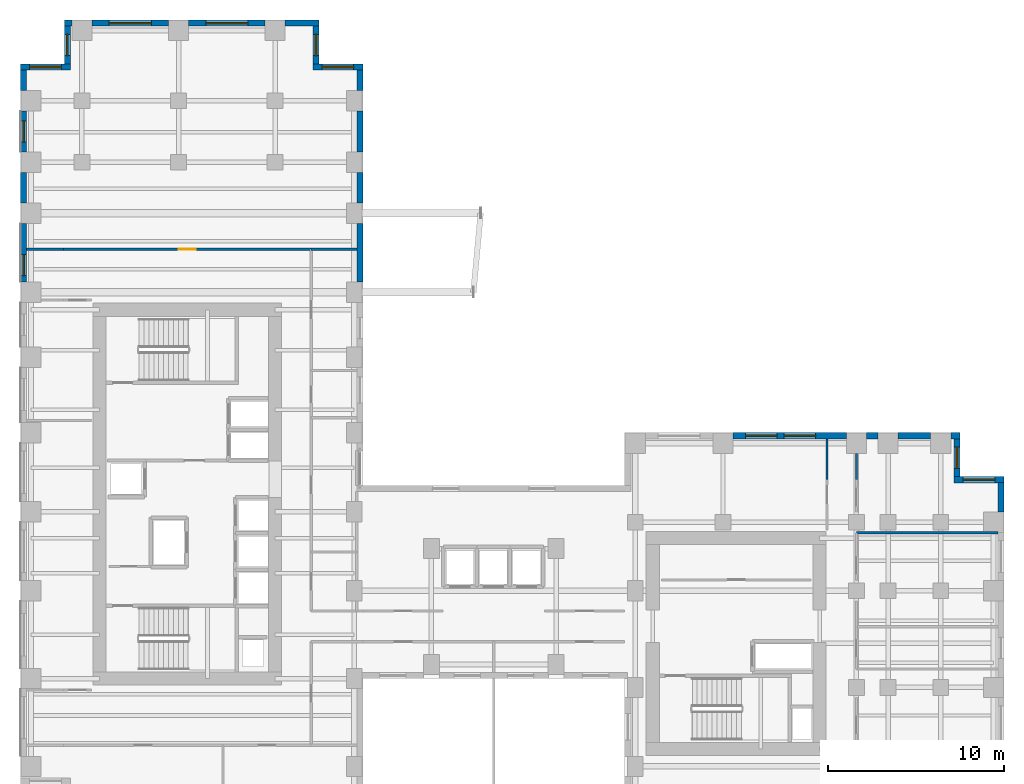
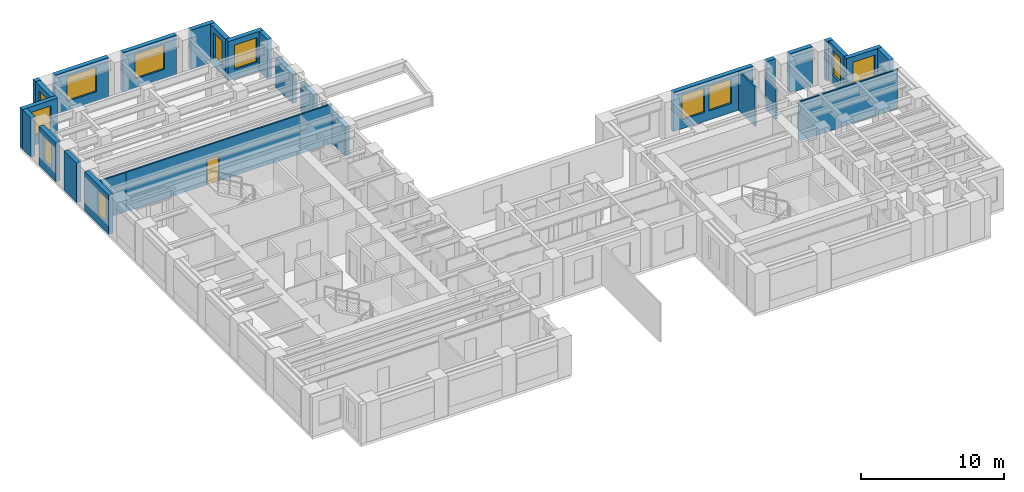
# One storey, part 11 of 14: 29 walls, 12 windows, 1 door, 13 openings.
"""IFC4 building model written with IfcOpenShell, lengths in metres."""

from ifc_helpers import new_model, si_unit, direction, frame, frame_2d, origin, place, context, subcontext, project, spatial, rectangle, extrude, source, transform, mapped, material, layer, layer_set, type_object, element, fill, save


model = new_model("IFC4")

# Units and contexts
model_context = context("Model", 3, precision=1e-05, world=origin(), true_north=direction((0.0, 1.0)))
body_context = subcontext(model_context, "Body", "Model", "MODEL_VIEW")
ifc_project = project(units=[si_unit("LENGTHUNIT", "METRE"), si_unit("AREAUNIT", "SQUARE_METRE"), si_unit("VOLUMEUNIT", "CUBIC_METRE"), si_unit("PLANEANGLEUNIT", "RADIAN"), si_unit("MASSUNIT", "GRAM", prefix="KILO")], contexts=[model_context])

# Site, building, storey
site_placement = place(None, origin())
site = spatial("IfcSite", under=ifc_project, at=site_placement, CompositionType="ELEMENT")
building_placement = place(site_placement, origin())
building = spatial("IfcBuilding", under=site, at=building_placement, Name="Kharzan Plaza Tower", CompositionType="ELEMENT")
storey_placement = place(building_placement, frame((0.0, 0.0, 124.199951171875)))
storey = spatial("IfcBuildingStorey", under=building, at=storey_placement, Name="L33", CompositionType="ELEMENT", Elevation=124.199951171875)

# Wall, opening, window
ifc_material_1 = material(Name="Concrete C40/50", Category="concrete")
ifc_layer_1 = layer(ifc_material_1, 0.35009765625)
ifc_layer_set_1 = layer_set([ifc_layer_1], Name="Concrete C40/50")
wall_type_1 = type_object("IfcWallType", Name="WL-EXT-MAS-Z2", PredefinedType="SOLIDWALL", material=ifc_layer_set_1)
wall_1_placement = place(storey_placement, frame((19.5, 43.324951171875, 0.0), z_axis=(0.0, 0.0, 1.0), x_axis=(-1.0, 0.0, 0.0)))
wall_1 = element("IfcWall", 1, at=wall_1_placement, inside=storey, type_object=wall_type_1, Name="L33 Masonry-Frame Exterior Wall 08", PredefinedType="SOLIDWALL", context=body_context, shape_type="SweptSolid", body=[
    extrude(rectangle(XDim=2.85009765625, YDim=0.35009765625, at=frame_2d((1.425048828125, 0.0))), origin(), (0.0, 0.0, 1.0), 3.364990234375),
])
opening_1_placement = place(wall_1_placement, frame((0.52490234375, 0.0, 0.780029296875)))
opening_1 = element("IfcOpeningElement", 2, at=opening_1_placement, cuts=wall_1, Name="Opening W1", PredefinedType="OPENING", context=body_context, shape_type="SweptSolid", body=[
    extrude(rectangle(XDim=1.800048828125, YDim=2.10009765625, at=frame_2d((0.89990234375, 1.050048828125))), frame((0.0, 0.18505859375, 0.0), z_axis=(0.0, -1.0, 0.0), x_axis=(1.0, 0.0, 0.0)), (0.0, 0.0, 1.0), 0.3701171875),
])
ifc_material_2 = material(Name="Low-E Double Glazing", Category="glass")
window_type_1 = type_object("IfcWindowType", Name="WN-REC-1800x2100", PartitioningType="SINGLE_PANEL", PredefinedType="WINDOW", material=ifc_material_2)
shared_shape_1 = source(origin(), body_context, "Body", "SweptSolid", [
    extrude(rectangle(XDim=1.800048828125, YDim=2.10009765625, at=frame_2d((0.89990234375, 1.050048828125))), frame((0.0, 0.030029296875, 0.0), z_axis=(0.0, -1.0, 0.0), x_axis=(1.0, 0.0, 0.0)), (0.0, 0.0, 1.0), 0.06005859375),
])
window_1_placement = place(opening_1_placement, origin())
window_1 = element("IfcWindow", 3, at=window_1_placement, inside=storey, type_object=window_type_1, Name="L33 Recessed Solar-Control Window 08-1", OverallHeight=2.10009765625, OverallWidth=1.800048828125, PartitioningType="SINGLE_PANEL", PredefinedType="WINDOW", context=body_context, shape_type="MappedRepresentation", body=[
    mapped(shared_shape_1, transform((0.0, 0.0, 0.0), x_axis=(1.0, 0.0, 0.0), y_axis=(0.0, 1.0, 0.0), z_axis=(0.0, 0.0, 1.0))),
])
fill(opening_1, window_1)

wall_2_placement = place(storey_placement, frame((16.824951171875, 43.498046875, 0.0), z_axis=(0.0, 0.0, 1.0), x_axis=(0.0, 1.0, 0.0)))
wall_2 = element("IfcWall", 4, at=wall_2_placement, inside=storey, type_object=wall_type_1, Name="L33 Masonry-Frame Exterior Wall 09", PredefinedType="SOLIDWALL", context=body_context, shape_type="SweptSolid", body=[
    extrude(rectangle(XDim=2.154052734375, YDim=0.35009765625, at=frame_2d((1.0771484375, 0.0))), origin(), (0.0, 0.0, 1.0), 3.364990234375),
])
opening_2_placement = place(wall_2_placement, frame((0.47705078125, 0.0, 0.780029296875)))
opening_2 = element("IfcOpeningElement", 5, at=opening_2_placement, cuts=wall_2, Name="Opening W3", PredefinedType="OPENING", context=body_context, shape_type="SweptSolid", body=[
    extrude(rectangle(XDim=1.199951171875, YDim=2.10009765625, at=frame_2d((0.60009765625, 1.050048828125))), frame((0.0, 0.18505859375, 0.0), z_axis=(0.0, -1.0, 0.0), x_axis=(1.0, 0.0, 0.0)), (0.0, 0.0, 1.0), 0.3701171875),
])
window_type_2 = type_object("IfcWindowType", Name="WN-REC-1200x2100", PartitioningType="SINGLE_PANEL", PredefinedType="WINDOW", material=ifc_material_2)
shared_shape_2 = source(origin(), body_context, "Body", "SweptSolid", [
    extrude(rectangle(XDim=1.199951171875, YDim=2.10009765625, at=frame_2d((0.60009765625, 1.050048828125))), frame((0.0, 0.030029296875, 0.0), z_axis=(0.0, -1.0, 0.0), x_axis=(1.0, 0.0, 0.0)), (0.0, 0.0, 1.0), 0.06005859375),
])
window_2_placement = place(opening_2_placement, origin())
window_2 = element("IfcWindow", 6, at=window_2_placement, inside=storey, type_object=window_type_2, Name="L33 Recessed Solar-Control Window 09-1", OverallHeight=2.10009765625, OverallWidth=1.199951171875, PartitioningType="SINGLE_PANEL", PredefinedType="WINDOW", context=body_context, shape_type="MappedRepresentation", body=[
    mapped(shared_shape_2, transform((0.0, 0.0, 0.0), x_axis=(1.0, 0.0, 0.0), y_axis=(0.0, 1.0, 0.0), z_axis=(0.0, 0.0, 1.0))),
])
fill(opening_2, window_2)

wall_3_placement = place(storey_placement, frame((13.927001953125, 45.824951171875, 0.0), z_axis=(0.0, 0.0, 1.0), x_axis=(-1.0, 0.0, 0.0)))
wall_3 = element("IfcWall", 7, at=wall_3_placement, inside=storey, type_object=wall_type_1, Name="L33 Masonry-Frame Exterior Wall 11", PredefinedType="SOLIDWALL", context=body_context, shape_type="SweptSolid", body=[
    extrude(rectangle(XDim=4.35400390625, YDim=0.35009765625, at=frame_2d((2.177001953125, 0.0))), origin(), (0.0, 0.0, 1.0), 3.364990234375),
])
opening_3_placement = place(wall_3_placement, frame((0.97705078125, 0.0, 0.780029296875)))
opening_3 = element("IfcOpeningElement", 8, at=opening_3_placement, cuts=wall_3, Name="Opening W2", PredefinedType="OPENING", context=body_context, shape_type="SweptSolid", body=[
    extrude(rectangle(XDim=2.39990234375, YDim=2.10009765625, at=frame_2d((1.199951171875, 1.050048828125))), frame((0.0, 0.18505859375, 0.0), z_axis=(0.0, -1.0, 0.0), x_axis=(1.0, 0.0, 0.0)), (0.0, 0.0, 1.0), 0.3701171875),
])
window_type_3 = type_object("IfcWindowType", Name="WN-REC-2400x2100", PartitioningType="SINGLE_PANEL", PredefinedType="WINDOW", material=ifc_material_2)
shared_shape_3 = source(origin(), body_context, "Body", "SweptSolid", [
    extrude(rectangle(XDim=2.39990234375, YDim=2.10009765625, at=frame_2d((1.199951171875, 1.050048828125))), frame((0.0, 0.030029296875, 0.0), z_axis=(0.0, -1.0, 0.0), x_axis=(1.0, 0.0, 0.0)), (0.0, 0.0, 1.0), 0.06005859375),
])
window_3_placement = place(opening_3_placement, origin())
window_3 = element("IfcWindow", 9, at=window_3_placement, inside=storey, type_object=window_type_3, Name="L33 Wide Recessed Solar-Control Window 11-1", OverallHeight=2.10009765625, OverallWidth=2.39990234375, PartitioningType="SINGLE_PANEL", PredefinedType="WINDOW", context=body_context, shape_type="MappedRepresentation", body=[
    mapped(shared_shape_3, transform((0.0, 0.0, 0.0), x_axis=(1.0, 0.0, 0.0), y_axis=(0.0, 1.0, 0.0), z_axis=(0.0, 0.0, 1.0))),
])
fill(opening_3, window_3)

wall_4_placement = place(storey_placement, frame((8.427001953125, 45.824951171875, 0.0), z_axis=(0.0, 0.0, 1.0), x_axis=(-1.0, 0.0, 0.0)))
wall_4 = element("IfcWall", 10, at=wall_4_placement, inside=storey, type_object=wall_type_1, Name="L33 Masonry-Frame Exterior Wall 12", PredefinedType="SOLIDWALL", context=body_context, shape_type="SweptSolid", body=[
    extrude(rectangle(XDim=4.35400390625, YDim=0.35009765625, at=frame_2d((2.177001953125, 0.0))), origin(), (0.0, 0.0, 1.0), 3.364990234375),
])
opening_4_placement = place(wall_4_placement, frame((0.97705078125, 0.0, 0.780029296875)))
opening_4 = element("IfcOpeningElement", 11, at=opening_4_placement, cuts=wall_4, Name="Opening W2", PredefinedType="OPENING", context=body_context, shape_type="SweptSolid", body=[
    extrude(rectangle(XDim=2.39990234375, YDim=2.10009765625, at=frame_2d((1.199951171875, 1.050048828125))), frame((0.0, 0.18505859375, 0.0), z_axis=(0.0, -1.0, 0.0), x_axis=(1.0, 0.0, 0.0)), (0.0, 0.0, 1.0), 0.3701171875),
])
window_4_placement = place(opening_4_placement, origin())
window_4 = element("IfcWindow", 12, at=window_4_placement, inside=storey, type_object=window_type_3, Name="L33 Wide Recessed Solar-Control Window 12-1", OverallHeight=2.10009765625, OverallWidth=2.39990234375, PartitioningType="SINGLE_PANEL", PredefinedType="WINDOW", context=body_context, shape_type="MappedRepresentation", body=[
    mapped(shared_shape_3, transform((0.0, 0.0, 0.0), x_axis=(1.0, 0.0, 0.0), y_axis=(0.0, 1.0, 0.0), z_axis=(0.0, 0.0, 1.0))),
])
fill(opening_4, window_4)

wall_5_placement = place(storey_placement, frame((2.675048828125, 45.652099609375, 0.0), z_axis=(0.0, 0.0, 1.0), x_axis=(0.0, -1.0, 0.0)))
wall_5 = element("IfcWall", 13, at=wall_5_placement, inside=storey, type_object=wall_type_1, Name="L33 Masonry-Frame Exterior Wall 14", PredefinedType="SOLIDWALL", context=body_context, shape_type="SweptSolid", body=[
    extrude(rectangle(XDim=2.154052734375, YDim=0.35009765625, at=frame_2d((1.0771484375, 0.0))), origin(), (0.0, 0.0, 1.0), 3.364990234375),
])
opening_5_placement = place(wall_5_placement, frame((0.47705078125, 0.0, 0.780029296875)))
opening_5 = element("IfcOpeningElement", 14, at=opening_5_placement, cuts=wall_5, Name="Opening W3", PredefinedType="OPENING", context=body_context, shape_type="SweptSolid", body=[
    extrude(rectangle(XDim=1.199951171875, YDim=2.10009765625, at=frame_2d((0.60009765625, 1.050048828125))), frame((0.0, 0.18505859375, 0.0), z_axis=(0.0, -1.0, 0.0), x_axis=(1.0, 0.0, 0.0)), (0.0, 0.0, 1.0), 0.3701171875),
])
window_5_placement = place(opening_5_placement, origin())
window_5 = element("IfcWindow", 15, at=window_5_placement, inside=storey, type_object=window_type_2, Name="L33 Recessed Solar-Control Window 14-1", OverallHeight=2.10009765625, OverallWidth=1.199951171875, PartitioningType="SINGLE_PANEL", PredefinedType="WINDOW", context=body_context, shape_type="MappedRepresentation", body=[
    mapped(shared_shape_2, transform((0.0, 0.0, 0.0), x_axis=(1.0, 0.0, 0.0), y_axis=(0.0, 1.0, 0.0), z_axis=(0.0, 0.0, 1.0))),
])
fill(opening_5, window_5)

wall_6_placement = place(storey_placement, frame((2.85009765625, 43.324951171875, 0.0), z_axis=(0.0, 0.0, 1.0), x_axis=(-1.0, 0.0, 0.0)))
wall_6 = element("IfcWall", 16, at=wall_6_placement, inside=storey, type_object=wall_type_1, Name="L33 Masonry-Frame Exterior Wall 15", PredefinedType="SOLIDWALL", context=body_context, shape_type="SweptSolid", body=[
    extrude(rectangle(XDim=2.85009765625, YDim=0.35009765625, at=frame_2d((1.425048828125, 0.0))), origin(), (0.0, 0.0, 1.0), 3.364990234375),
])
opening_6_placement = place(wall_6_placement, frame((0.52490234375, 0.0, 0.780029296875)))
opening_6 = element("IfcOpeningElement", 17, at=opening_6_placement, cuts=wall_6, Name="Opening W1", PredefinedType="OPENING", context=body_context, shape_type="SweptSolid", body=[
    extrude(rectangle(XDim=1.800048828125, YDim=2.10009765625, at=frame_2d((0.89990234375, 1.050048828125))), frame((0.0, 0.18505859375, 0.0), z_axis=(0.0, -1.0, 0.0), x_axis=(1.0, 0.0, 0.0)), (0.0, 0.0, 1.0), 0.3701171875),
])
window_6_placement = place(opening_6_placement, origin())
window_6 = element("IfcWindow", 18, at=window_6_placement, inside=storey, type_object=window_type_1, Name="L33 Recessed Solar-Control Window 15-1", OverallHeight=2.10009765625, OverallWidth=1.800048828125, PartitioningType="SINGLE_PANEL", PredefinedType="WINDOW", context=body_context, shape_type="MappedRepresentation", body=[
    mapped(shared_shape_1, transform((0.0, 0.0, 0.0), x_axis=(1.0, 0.0, 0.0), y_axis=(0.0, 1.0, 0.0), z_axis=(0.0, 0.0, 1.0))),
])
fill(opening_6, window_6)

wall_7_placement = place(storey_placement, frame((0.175048828125, 40.826904296875, 0.0), z_axis=(0.0, 0.0, 1.0), x_axis=(0.0, -1.0, 0.0)))
wall_7 = element("IfcWall", 19, at=wall_7_placement, inside=storey, type_object=wall_type_1, Name="L33 Masonry-Frame Exterior Wall 17", PredefinedType="SOLIDWALL", context=body_context, shape_type="SweptSolid", body=[
    extrude(rectangle(XDim=2.35400390625, YDim=0.35009765625, at=frame_2d((1.177001953125, 0.0))), origin(), (0.0, 0.0, 1.0), 3.364990234375),
])
opening_7_placement = place(wall_7_placement, frame((0.576904296875, 0.0, 0.780029296875)))
opening_7 = element("IfcOpeningElement", 20, at=opening_7_placement, cuts=wall_7, Name="Opening W3", PredefinedType="OPENING", context=body_context, shape_type="SweptSolid", body=[
    extrude(rectangle(XDim=1.199951171875, YDim=2.10009765625, at=frame_2d((0.60009765625, 1.050048828125))), frame((0.0, 0.18505859375, 0.0), z_axis=(0.0, -1.0, 0.0), x_axis=(1.0, 0.0, 0.0)), (0.0, 0.0, 1.0), 0.3701171875),
])
window_7_placement = place(opening_7_placement, origin())
window_7 = element("IfcWindow", 21, at=window_7_placement, inside=storey, type_object=window_type_2, Name="L33 Recessed Solar-Control Window 17-1", OverallHeight=2.10009765625, OverallWidth=1.199951171875, PartitioningType="SINGLE_PANEL", PredefinedType="WINDOW", context=body_context, shape_type="MappedRepresentation", body=[
    mapped(shared_shape_2, transform((0.0, 0.0, 0.0), x_axis=(1.0, 0.0, 0.0), y_axis=(0.0, 1.0, 0.0), z_axis=(0.0, 0.0, 1.0))),
])
fill(opening_7, window_7)

wall_8_placement = place(storey_placement, frame((0.175048828125, 34.427001953125, 0.0), z_axis=(0.0, 0.0, 1.0), x_axis=(0.0, -1.0, 0.0)))
wall_8 = element("IfcWall", 22, at=wall_8_placement, inside=storey, type_object=wall_type_1, Name="L33 Masonry-Frame Exterior Wall 19", PredefinedType="SOLIDWALL", context=body_context, shape_type="SweptSolid", body=[
    extrude(rectangle(XDim=3.35400390625, YDim=0.35009765625, at=frame_2d((1.677001953125, 0.0))), origin(), (0.0, 0.0, 1.0), 3.364990234375),
])
opening_8_placement = place(wall_8_placement, frame((1.780517578125, 0.0, 0.780029296875)))
opening_8 = element("IfcOpeningElement", 23, at=opening_8_placement, cuts=wall_8, Name="Opening W3", PredefinedType="OPENING", context=body_context, shape_type="SweptSolid", body=[
    extrude(rectangle(XDim=1.199951171875, YDim=2.10009765625, at=frame_2d((0.60009765625, 1.050048828125))), frame((0.0, 0.18505859375, 0.0), z_axis=(0.0, -1.0, 0.0), x_axis=(1.0, 0.0, 0.0)), (0.0, 0.0, 1.0), 0.3701171875),
])
window_8_placement = place(opening_8_placement, origin())
window_8 = element("IfcWindow", 24, at=window_8_placement, inside=storey, type_object=window_type_2, Name="L33 Recessed Solar-Control Window 19-1", OverallHeight=2.10009765625, OverallWidth=1.199951171875, PartitioningType="SINGLE_PANEL", PredefinedType="WINDOW", context=body_context, shape_type="MappedRepresentation", body=[
    mapped(shared_shape_2, transform((0.0, 0.0, 0.0), x_axis=(1.0, 0.0, 0.0), y_axis=(0.0, 1.0, 0.0), z_axis=(0.0, 0.0, 1.0))),
])
fill(opening_8, window_8)

wall_9_placement = place(storey_placement, frame((56.0, 19.824951171875, 0.0), z_axis=(0.0, 0.0, 1.0), x_axis=(-1.0, 0.0, 0.0)))
wall_9 = element("IfcWall", 25, at=wall_9_placement, inside=storey, type_object=wall_type_1, Name="L33 Masonry-Frame Exterior Wall 50", PredefinedType="SOLIDWALL", context=body_context, shape_type="SweptSolid", body=[
    extrude(rectangle(XDim=2.85009765625, YDim=0.35009765625, at=frame_2d((1.425048828125, 0.0))), origin(), (0.0, 0.0, 1.0), 3.364990234375),
])
opening_9_placement = place(wall_9_placement, frame((0.52490234375, 0.0, 0.780029296875)))
opening_9 = element("IfcOpeningElement", 26, at=opening_9_placement, cuts=wall_9, Name="Opening W1", PredefinedType="OPENING", context=body_context, shape_type="SweptSolid", body=[
    extrude(rectangle(XDim=1.800048828125, YDim=2.10009765625, at=frame_2d((0.89990234375, 1.050048828125))), frame((0.0, 0.18505859375, 0.0), z_axis=(0.0, -1.0, 0.0), x_axis=(1.0, 0.0, 0.0)), (0.0, 0.0, 1.0), 0.3701171875),
])
window_9_placement = place(opening_9_placement, origin())
window_9 = element("IfcWindow", 27, at=window_9_placement, inside=storey, type_object=window_type_1, Name="L33 Recessed Solar-Control Window 50-1", OverallHeight=2.10009765625, OverallWidth=1.800048828125, PartitioningType="SINGLE_PANEL", PredefinedType="WINDOW", context=body_context, shape_type="MappedRepresentation", body=[
    mapped(shared_shape_1, transform((0.0, 0.0, 0.0), x_axis=(1.0, 0.0, 0.0), y_axis=(0.0, 1.0, 0.0), z_axis=(0.0, 0.0, 1.0))),
])
fill(opening_9, window_9)

wall_10_placement = place(storey_placement, frame((53.324951171875, 19.998046875, 0.0), z_axis=(0.0, 0.0, 1.0), x_axis=(0.0, 1.0, 0.0)))
wall_10 = element("IfcWall", 28, at=wall_10_placement, inside=storey, type_object=wall_type_1, Name="L33 Masonry-Frame Exterior Wall 51", PredefinedType="SOLIDWALL", context=body_context, shape_type="SweptSolid", body=[
    extrude(rectangle(XDim=2.154052734375, YDim=0.35009765625, at=frame_2d((1.0771484375, 0.0))), origin(), (0.0, 0.0, 1.0), 3.364990234375),
])
opening_10_placement = place(wall_10_placement, frame((0.47705078125, 0.0, 0.780029296875)))
opening_10 = element("IfcOpeningElement", 29, at=opening_10_placement, cuts=wall_10, Name="Opening W3", PredefinedType="OPENING", context=body_context, shape_type="SweptSolid", body=[
    extrude(rectangle(XDim=1.199951171875, YDim=2.10009765625, at=frame_2d((0.60009765625, 1.050048828125))), frame((0.0, 0.18505859375, 0.0), z_axis=(0.0, -1.0, 0.0), x_axis=(1.0, 0.0, 0.0)), (0.0, 0.0, 1.0), 0.3701171875),
])
window_10_placement = place(opening_10_placement, origin())
window_10 = element("IfcWindow", 30, at=window_10_placement, inside=storey, type_object=window_type_2, Name="L33 Recessed Solar-Control Window 51-1", OverallHeight=2.10009765625, OverallWidth=1.199951171875, PartitioningType="SINGLE_PANEL", PredefinedType="WINDOW", context=body_context, shape_type="MappedRepresentation", body=[
    mapped(shared_shape_2, transform((0.0, 0.0, 0.0), x_axis=(1.0, 0.0, 0.0), y_axis=(0.0, 1.0, 0.0), z_axis=(0.0, 0.0, 1.0))),
])
fill(opening_10, window_10)

# Wall, openings, windows
wall_11_placement = place(storey_placement, frame((47.027099609375, 22.324951171875, 0.0), z_axis=(0.0, 0.0, 1.0), x_axis=(-1.0, 0.0, 0.0)))
wall_11 = element("IfcWall", 31, at=wall_11_placement, inside=storey, type_object=wall_type_1, Name="L33 Masonry-Frame Exterior Wall 55", PredefinedType="SOLIDWALL", context=body_context, shape_type="SweptSolid", body=[
    extrude(rectangle(XDim=6.4541015625, YDim=0.35009765625, at=frame_2d((3.22705078125, 0.0))), origin(), (0.0, 0.0, 1.0), 3.364990234375),
])
opening_11_placement = place(wall_11_placement, frame((1.749267578125, 0.0, 0.780029296875)))
opening_11 = element("IfcOpeningElement", 32, at=opening_11_placement, cuts=wall_11, Name="Opening W1", PredefinedType="OPENING", context=body_context, shape_type="SweptSolid", body=[
    extrude(rectangle(XDim=1.800048828125, YDim=2.10009765625, at=frame_2d((0.89990234375, 1.050048828125))), frame((0.0, 0.18505859375, 0.0), z_axis=(0.0, -1.0, 0.0), x_axis=(1.0, 0.0, 0.0)), (0.0, 0.0, 1.0), 0.3701171875),
])
opening_12_placement = place(wall_11_placement, frame((3.941650390625, 0.0, 0.780029296875)))
opening_12 = element("IfcOpeningElement", 33, at=opening_12_placement, cuts=wall_11, Name="Opening W1", PredefinedType="OPENING", context=body_context, shape_type="SweptSolid", body=[
    extrude(rectangle(XDim=1.800048828125, YDim=2.10009765625, at=frame_2d((0.89990234375, 1.050048828125))), frame((0.0, 0.18505859375, 0.0), z_axis=(0.0, -1.0, 0.0), x_axis=(1.0, 0.0, 0.0)), (0.0, 0.0, 1.0), 0.3701171875),
])
window_11_placement = place(opening_11_placement, origin())
window_11 = element("IfcWindow", 34, at=window_11_placement, inside=storey, type_object=window_type_1, Name="L33 Recessed Solar-Control Window 55-1", OverallHeight=2.10009765625, OverallWidth=1.800048828125, PartitioningType="SINGLE_PANEL", PredefinedType="WINDOW", context=body_context, shape_type="MappedRepresentation", body=[
    mapped(shared_shape_1, transform((0.0, 0.0, 0.0), x_axis=(1.0, 0.0, 0.0), y_axis=(0.0, 1.0, 0.0), z_axis=(0.0, 0.0, 1.0))),
])
fill(opening_11, window_11)
window_12_placement = place(opening_12_placement, origin())
window_12 = element("IfcWindow", 35, at=window_12_placement, inside=storey, type_object=window_type_1, Name="L33 Recessed Solar-Control Window 55-2", OverallHeight=2.10009765625, OverallWidth=1.800048828125, PartitioningType="SINGLE_PANEL", PredefinedType="WINDOW", context=body_context, shape_type="MappedRepresentation", body=[
    mapped(shared_shape_1, transform((0.0, 0.0, 0.0), x_axis=(1.0, 0.0, 0.0), y_axis=(0.0, 1.0, 0.0), z_axis=(0.0, 0.0, 1.0))),
])
fill(opening_12, window_12)

# Wall, opening, door
ifc_material_3 = material(Name="Fire-Rated Gypsum Board Partition", Category="gypsum")
ifc_layer_2 = layer(ifc_material_3, 0.125)
ifc_layer_set_2 = layer_set([ifc_layer_2], Name="Fire-Rated Gypsum Board Partition")
wall_type_2 = type_object("IfcWallType", Name="WL-INT-PART-125", PredefinedType="PARTITIONING", material=ifc_layer_set_2)
wall_12_placement = place(storey_placement, frame((2.449951171875, 32.949951171875, 0.0), z_axis=(0.0, 0.0, 1.0), x_axis=(1.0, 0.0, 0.0)))
wall_12 = element("IfcWall", 36, at=wall_12_placement, inside=storey, type_object=wall_type_2, Name="L33 Interior Partition SH-NN-1", PredefinedType="PARTITIONING", context=body_context, shape_type="SweptSolid", body=[
    extrude(rectangle(XDim=14.10009765625, YDim=0.125, at=frame_2d((7.050048828125, 0.0))), origin(), (0.0, 0.0, 1.0), 3.364990234375),
])
opening_13_placement = place(wall_12_placement, frame((6.574951171875, 0.0, 0.0)))
opening_13 = element("IfcOpeningElement", 37, at=opening_13_placement, cuts=wall_12, Name="Opening OD1", PredefinedType="OPENING", context=body_context, shape_type="SweptSolid", body=[
    extrude(rectangle(XDim=0.949951171875, YDim=2.14990234375, at=frame_2d((0.47509765625, 1.074951171875))), frame((0.0, 0.072509765625, 0.0), z_axis=(0.0, -1.0, 0.0), x_axis=(1.0, 0.0, 0.0)), (0.0, 0.0, 1.0), 0.14501953125),
])
ifc_material_4 = material(Name="Acoustic Solid-Core Stained Oak", Category="timber")
door_type = type_object("IfcDoorType", Name="DR-OFF-SINGLE", OperationType="NOTDEFINED", PredefinedType="DOOR", material=ifc_material_4)
shared_shape_4 = source(origin(), body_context, "Body", "SweptSolid", [
    extrude(rectangle(XDim=0.949951171875, YDim=2.14990234375, at=frame_2d((0.47509765625, 1.074951171875))), frame((0.0, 0.02490234375, 0.0), z_axis=(0.0, -1.0, 0.0), x_axis=(1.0, 0.0, 0.0)), (0.0, 0.0, 1.0), 0.050048828125),
])
door_placement = place(opening_13_placement, origin())
door = element("IfcDoor", 38, at=door_placement, inside=storey, type_object=door_type, Name="L33 Maritime Chartering Room Door", OperationType="SINGLE_SWING_RIGHT", OverallHeight=2.14990234375, OverallWidth=0.949951171875, PredefinedType="DOOR", context=body_context, shape_type="MappedRepresentation", body=[
    mapped(shared_shape_4, transform((0.0, 0.0, 0.0), x_axis=(1.0, 0.0, 0.0), y_axis=(0.0, 1.0, 0.0), z_axis=(0.0, 0.0, 1.0))),
])
fill(opening_13, door)

# Walls
shared_shape_5 = source(origin(), body_context, "Body", "SweptSolid", [
    extrude(rectangle(XDim=2.597900390625, YDim=0.125, at=frame_2d((1.298828125, 0.0))), origin(), (0.0, 0.0, 1.0), 3.364990234375),
])
wall_13_placement = place(storey_placement, frame((16.550048828125, 32.949951171875, 0.0), z_axis=(0.0, 0.0, 1.0), x_axis=(1.0, 0.0, 0.0)))
element("IfcWall", 39, at=wall_13_placement, inside=storey, type_object=wall_type_2, Name="L33 Interior Partition SH-NNE0", PredefinedType="PARTITIONING", context=body_context, shape_type="MappedRepresentation", body=[
    mapped(shared_shape_5, transform((0.0, 0.0, 0.0), x_axis=(1.0, 0.0, 0.0), y_axis=(0.0, 1.0, 0.0), z_axis=(0.0, 0.0, 1.0))),
])
shared_shape_6 = source(origin(), body_context, "Body", "SweptSolid", [
    extrude(rectangle(XDim=2.2978515625, YDim=0.125, at=frame_2d((1.14892578125, 0.0))), origin(), (0.0, 0.0, 1.0), 3.364990234375),
])
wall_14_placement = place(storey_placement, frame((45.919921875, 19.85009765625, 0.0), z_axis=(0.0, 0.0, 1.0), x_axis=(0.0, 1.0, 0.0)))
element("IfcWall", 40, at=wall_14_placement, inside=storey, type_object=wall_type_2, Name="L33 Interior Partition SH-RBNE0", PredefinedType="PARTITIONING", context=body_context, shape_type="MappedRepresentation", body=[
    mapped(shared_shape_6, transform((0.0, 0.0, 0.0), x_axis=(1.0, 0.0, 0.0), y_axis=(0.0, 1.0, 0.0), z_axis=(0.0, 0.0, 1.0))),
])
shared_shape_7 = source(origin(), body_context, "Body", "SweptSolid", [
    extrude(rectangle(XDim=2.097900390625, YDim=0.125, at=frame_2d((1.048828125, 0.0))), origin(), (0.0, 0.0, 1.0), 3.364990234375),
])
wall_15_placement = place(storey_placement, frame((0.35205078125, 32.949951171875, 0.0), z_axis=(0.0, 0.0, 1.0), x_axis=(1.0, 0.0, 0.0)))
element("IfcWall", 41, at=wall_15_placement, inside=storey, type_object=wall_type_2, Name="L33 Interior Partition SH-NNW0", PredefinedType="PARTITIONING", context=body_context, shape_type="MappedRepresentation", body=[
    mapped(shared_shape_7, transform((0.0, 0.0, 0.0), x_axis=(1.0, 0.0, 0.0), y_axis=(0.0, 1.0, 0.0), z_axis=(0.0, 0.0, 1.0))),
])
shared_shape_8 = source(origin(), body_context, "Body", "SweptSolid", [
    extrude(rectangle(XDim=1.927001953125, YDim=0.35009765625, at=frame_2d((0.96337890625, 0.0))), origin(), (0.0, 0.0, 1.0), 3.364990234375),
])
wall_16_placement = place(storey_placement, frame((17.0, 45.824951171875, 0.0), z_axis=(0.0, 0.0, 1.0), x_axis=(-1.0, 0.0, 0.0)))
element("IfcWall", 42, at=wall_16_placement, inside=storey, type_object=wall_type_1, Name="L33 Masonry-Frame Exterior Wall 10", PredefinedType="SOLIDWALL", context=body_context, shape_type="MappedRepresentation", body=[
    mapped(shared_shape_8, transform((0.0, 0.0, 0.0), x_axis=(1.0, 0.0, 0.0), y_axis=(0.0, 1.0, 0.0), z_axis=(0.0, 0.0, 1.0))),
])
shared_shape_9 = source(origin(), body_context, "Body", "SweptSolid", [
    extrude(rectangle(XDim=0.427001953125, YDim=0.35009765625, at=frame_2d((0.21337890625, 0.0))), origin(), (0.0, 0.0, 1.0), 3.364990234375),
])
wall_17_placement = place(storey_placement, frame((2.927001953125, 45.824951171875, 0.0), z_axis=(0.0, 0.0, 1.0), x_axis=(-1.0, 0.0, 0.0)))
element("IfcWall", 43, at=wall_17_placement, inside=storey, type_object=wall_type_1, Name="L33 Masonry-Frame Exterior Wall 13", PredefinedType="SOLIDWALL", context=body_context, shape_type="MappedRepresentation", body=[
    mapped(shared_shape_9, transform((0.0, 0.0, 0.0), x_axis=(1.0, 0.0, 0.0), y_axis=(0.0, 1.0, 0.0), z_axis=(0.0, 0.0, 1.0))),
])
shared_shape_10 = source(origin(), body_context, "Body", "SweptSolid", [
    extrude(rectangle(XDim=1.17919921875, YDim=0.35009765625, at=frame_2d((0.589599609375, 0.0))), origin(), (0.0, 0.0, 1.0), 3.364990234375),
])
for number, where, z_axis, x_axis, name in (
    (44, (19.324951171875, 41.972900390625, 0.0), (0.0, 0.0, 1.0), (0.0, 1.0, 0.0), "L33 Masonry-Frame Exterior Wall 07"),
    (45, (0.175048828125, 43.152099609375, 0.0), (0.0, 0.0, 1.0), (0.0, -1.0, 0.0), "L33 Masonry-Frame Exterior Wall 16"),
):
    element("IfcWall", number, at=place(storey_placement, frame(where, z_axis=z_axis, x_axis=x_axis)), inside=storey, type_object=wall_type_1, Name=name, PredefinedType="SOLIDWALL", context=body_context, shape_type="MappedRepresentation", body=[
        mapped(shared_shape_10, transform((0.0, 0.0, 0.0), x_axis=(1.0, 0.0, 0.0), y_axis=(0.0, 1.0, 0.0), z_axis=(0.0, 0.0, 1.0))),
    ])
shared_shape_11 = source(origin(), body_context, "Body", "SweptSolid", [
    extrude(rectangle(XDim=1.75390625, YDim=0.35009765625, at=frame_2d((0.876953125, 0.0))), origin(), (0.0, 0.0, 1.0), 3.364990234375),
])
wall_18_placement = place(storey_placement, frame((0.175048828125, 37.326904296875, 0.0), z_axis=(0.0, 0.0, 1.0), x_axis=(0.0, -1.0, 0.0)))
element("IfcWall", 46, at=wall_18_placement, inside=storey, type_object=wall_type_1, Name="L33 Masonry-Frame Exterior Wall 18", PredefinedType="SOLIDWALL", context=body_context, shape_type="MappedRepresentation", body=[
    mapped(shared_shape_11, transform((0.0, 0.0, 0.0), x_axis=(1.0, 0.0, 0.0), y_axis=(0.0, 1.0, 0.0), z_axis=(0.0, 0.0, 1.0))),
])
shared_shape_12 = source(origin(), body_context, "Body", "SweptSolid", [
    extrude(rectangle(XDim=1.75390625, YDim=0.35009765625, at=frame_2d((0.876953125, 0.0))), origin(), (0.0, 0.0, 1.0), 2.51904296875),
])
wall_19_placement = place(storey_placement, frame((19.324951171875, 35.572998046875, 0.0), z_axis=(0.0, 0.0, 1.0), x_axis=(0.0, 1.0, 0.0)))
element("IfcWall", 47, at=wall_19_placement, inside=storey, type_object=wall_type_1, Name="L33 Masonry-Frame Exterior Wall 05", PredefinedType="SOLIDWALL", context=body_context, shape_type="MappedRepresentation", body=[
    mapped(shared_shape_12, transform((0.0, 0.0, 0.0), x_axis=(1.0, 0.0, 0.0), y_axis=(0.0, 1.0, 0.0), z_axis=(0.0, 0.0, 1.0))),
])
shared_shape_13 = source(origin(), body_context, "Body", "SweptSolid", [
    extrude(rectangle(XDim=0.65380859375, YDim=0.35009765625, at=frame_2d((0.326904296875, 0.0))), origin(), (0.0, 0.0, 1.0), 3.364990234375),
])
wall_20_placement = place(storey_placement, frame((48.826904296875, 22.324951171875, 0.0), z_axis=(0.0, 0.0, 1.0), x_axis=(-1.0, 0.0, 0.0)))
element("IfcWall", 48, at=wall_20_placement, inside=storey, type_object=wall_type_1, Name="L33 Masonry-Frame Exterior Wall 54", PredefinedType="SOLIDWALL", context=body_context, shape_type="MappedRepresentation", body=[
    mapped(shared_shape_13, transform((0.0, 0.0, 0.0), x_axis=(1.0, 0.0, 0.0), y_axis=(0.0, 1.0, 0.0), z_axis=(0.0, 0.0, 1.0))),
])
shared_shape_14 = source(origin(), body_context, "Body", "SweptSolid", [
    extrude(rectangle(XDim=1.85400390625, YDim=0.35009765625, at=frame_2d((0.927001953125, 0.0))), origin(), (0.0, 0.0, 1.0), 3.364990234375),
])
wall_21_placement = place(storey_placement, frame((51.826904296875, 22.324951171875, 0.0), z_axis=(0.0, 0.0, 1.0), x_axis=(-1.0, 0.0, 0.0)))
element("IfcWall", 49, at=wall_21_placement, inside=storey, type_object=wall_type_1, Name="L33 Masonry-Frame Exterior Wall 53", PredefinedType="SOLIDWALL", context=body_context, shape_type="MappedRepresentation", body=[
    mapped(shared_shape_14, transform((0.0, 0.0, 0.0), x_axis=(1.0, 0.0, 0.0), y_axis=(0.0, 1.0, 0.0), z_axis=(0.0, 0.0, 1.0))),
])
shared_shape_15 = source(origin(), body_context, "Body", "SweptSolid", [
    extrude(rectangle(XDim=0.527099609375, YDim=0.35009765625, at=frame_2d((0.263671875, 0.0))), origin(), (0.0, 0.0, 1.0), 3.364990234375),
])
wall_22_placement = place(storey_placement, frame((53.5, 22.324951171875, 0.0), z_axis=(0.0, 0.0, 1.0), x_axis=(-1.0, 0.0, 0.0)))
element("IfcWall", 50, at=wall_22_placement, inside=storey, type_object=wall_type_1, Name="L33 Masonry-Frame Exterior Wall 52", PredefinedType="SOLIDWALL", context=body_context, shape_type="MappedRepresentation", body=[
    mapped(shared_shape_15, transform((0.0, 0.0, 0.0), x_axis=(1.0, 0.0, 0.0), y_axis=(0.0, 1.0, 0.0), z_axis=(0.0, 0.0, 1.0))),
])
shared_shape_16 = source(origin(), body_context, "Body", "SweptSolid", [
    extrude(rectangle(XDim=1.67919921875, YDim=0.35009765625, at=frame_2d((0.839599609375, 0.0))), origin(), (0.0, 0.0, 1.0), 3.364990234375),
])
wall_23_placement = place(storey_placement, frame((55.824951171875, 17.972900390625, 0.0), z_axis=(0.0, 0.0, 1.0), x_axis=(0.0, 1.0, 0.0)))
element("IfcWall", 51, at=wall_23_placement, inside=storey, type_object=wall_type_1, Name="L33 Masonry-Frame Exterior Wall 49", PredefinedType="SOLIDWALL", context=body_context, shape_type="MappedRepresentation", body=[
    mapped(shared_shape_16, transform((0.0, 0.0, 0.0), x_axis=(1.0, 0.0, 0.0), y_axis=(0.0, 1.0, 0.0), z_axis=(0.0, 0.0, 1.0))),
])
shared_shape_17 = source(origin(), body_context, "Body", "SweptSolid", [
    extrude(rectangle(XDim=3.35400390625, YDim=0.35009765625, at=frame_2d((1.677001953125, 0.0))), origin(), (0.0, 0.0, 1.0), 2.51904296875),
])
wall_24_placement = place(storey_placement, frame((19.324951171875, 31.072998046875, 0.0), z_axis=(0.0, 0.0, 1.0), x_axis=(0.0, 1.0, 0.0)))
element("IfcWall", 52, at=wall_24_placement, inside=storey, type_object=wall_type_1, Name="L33 Masonry-Frame Exterior Wall 04", PredefinedType="SOLIDWALL", context=body_context, shape_type="MappedRepresentation", body=[
    mapped(shared_shape_17, transform((0.0, 0.0, 0.0), x_axis=(1.0, 0.0, 0.0), y_axis=(0.0, 1.0, 0.0), z_axis=(0.0, 0.0, 1.0))),
])
shared_shape_18 = source(origin(), body_context, "Body", "SweptSolid", [
    extrude(rectangle(XDim=2.35400390625, YDim=0.35009765625, at=frame_2d((1.177001953125, 0.0))), origin(), (0.0, 0.0, 1.0), 2.51904296875),
])
wall_25_placement = place(storey_placement, frame((19.324951171875, 38.472900390625, 0.0), z_axis=(0.0, 0.0, 1.0), x_axis=(0.0, 1.0, 0.0)))
element("IfcWall", 53, at=wall_25_placement, inside=storey, type_object=wall_type_1, Name="L33 Masonry-Frame Exterior Wall 06", PredefinedType="SOLIDWALL", context=body_context, shape_type="MappedRepresentation", body=[
    mapped(shared_shape_18, transform((0.0, 0.0, 0.0), x_axis=(1.0, 0.0, 0.0), y_axis=(0.0, 1.0, 0.0), z_axis=(0.0, 0.0, 1.0))),
])
shared_shape_19 = source(origin(), body_context, "Body", "SweptSolid", [
    extrude(rectangle(XDim=8.0478515625, YDim=0.125, at=frame_2d((4.02392578125, 0.0))), origin(), (0.0, 0.0, 1.0), 3.364990234375),
])
wall_26_placement = place(storey_placement, frame((47.60009765625, 16.800048828125, 0.0), z_axis=(0.0, 0.0, 1.0), x_axis=(1.0, 0.0, 0.0)))
element("IfcWall", 54, at=wall_26_placement, inside=storey, type_object=wall_type_2, Name="L33 Interior Partition SH-B1H-168", PredefinedType="PARTITIONING", context=body_context, shape_type="MappedRepresentation", body=[
    mapped(shared_shape_19, transform((0.0, 0.0, 0.0), x_axis=(1.0, 0.0, 0.0), y_axis=(0.0, 1.0, 0.0), z_axis=(0.0, 0.0, 1.0))),
])
shared_shape_20 = source(origin(), body_context, "Body", "SweptSolid", [
    extrude(rectangle(XDim=1.4599609375, YDim=0.125, at=frame_2d((0.72998046875, 0.0))), origin(), (0.0, 0.0, 1.0), 2.677001953125),
])
wall_27_placement = place(storey_placement, frame((47.60009765625, 19.85009765625, 0.0), z_axis=(0.0, 0.0, 1.0), x_axis=(0.0, 1.0, 0.0)))
element("IfcWall", 55, at=wall_27_placement, inside=storey, type_object=wall_type_2, Name="L33 Interior Partition SH-B1W2N", PredefinedType="PARTITIONING", context=body_context, shape_type="MappedRepresentation", body=[
    mapped(shared_shape_20, transform((0.0, 0.0, 0.0), x_axis=(1.0, 0.0, 0.0), y_axis=(0.0, 1.0, 0.0), z_axis=(0.0, 0.0, 1.0))),
])

save(model, "model.ifc")
